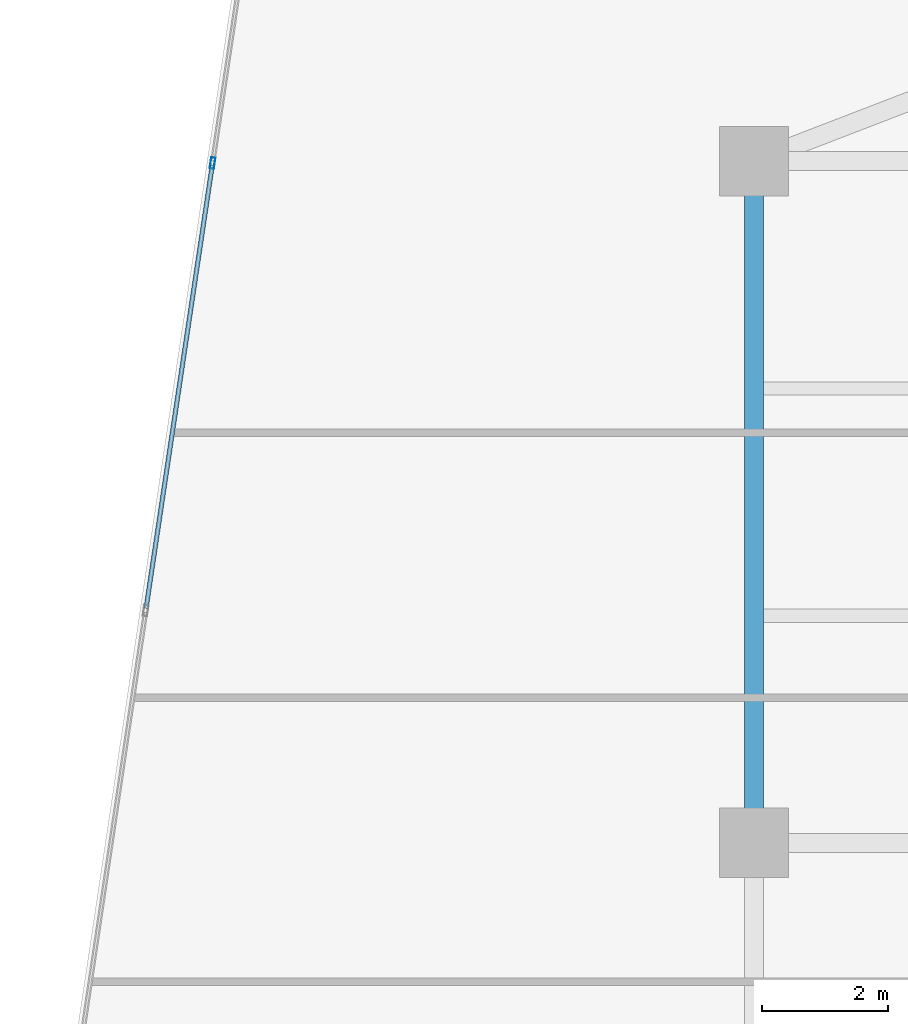
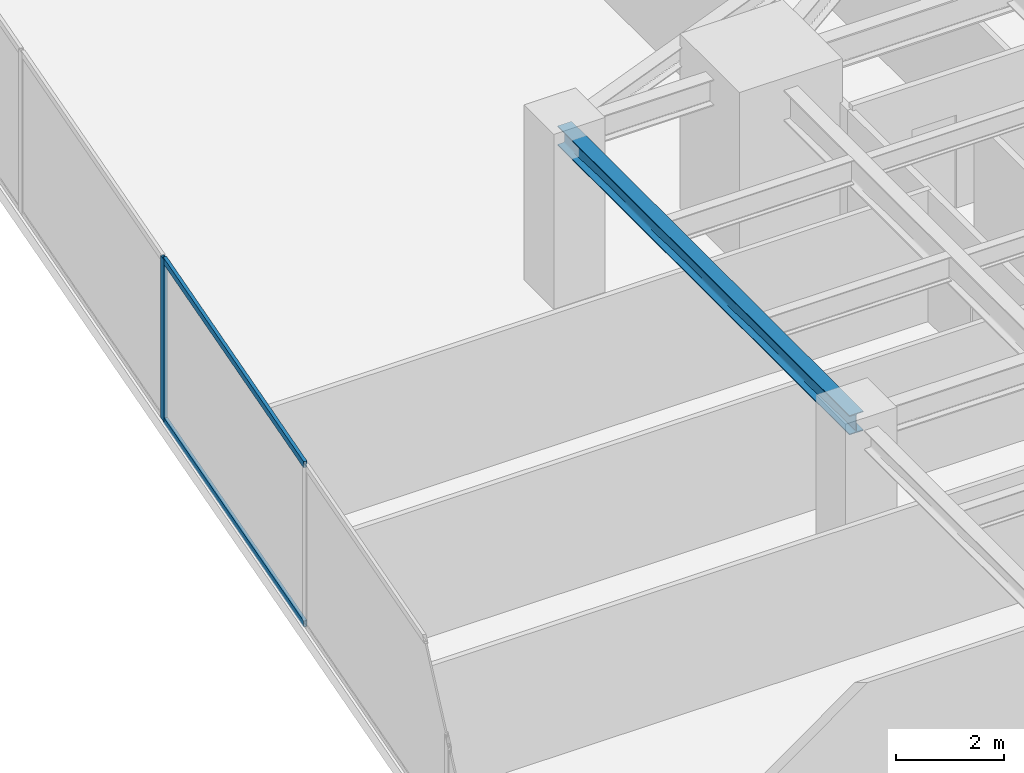
# One storey, part 15 of 29: 3 members, 1 beam, 1 element without a shape of its own.
"""IFC4 building model written with IfcOpenShell, lengths in metres."""

from ifc_helpers import new_model, si_unit, direction, frame, origin, origin_2d, place, context, subcontext, project, spatial, hollow_rectangle, i_section, extrude, source, transform, mapped, material, material_profile, profile_set, type_object, type_shapes, element, aggregate, save


model = new_model("IFC4")

# Units and contexts
model_context = context("Model", 3, precision=1e-05, world=origin(), true_north=direction((0.0, 1.0)))
body_context = subcontext(model_context, "Body", "Model", "MODEL_VIEW")
ifc_project = project(units=[si_unit("LENGTHUNIT", "METRE"), si_unit("AREAUNIT", "SQUARE_METRE"), si_unit("VOLUMEUNIT", "CUBIC_METRE"), si_unit("PLANEANGLEUNIT", "RADIAN"), si_unit("MASSUNIT", "GRAM", prefix="KILO")], contexts=[model_context])

# Site, building, storey
site_placement = place(None, origin())
site = spatial("IfcSite", under=ifc_project, at=site_placement, CompositionType="ELEMENT")
building_placement = place(site_placement, origin())
building = spatial("IfcBuilding", under=site, at=building_placement, Name="Krantzveldt Concourse Tower", CompositionType="ELEMENT")
storey_placement = place(building_placement, frame((0.0, 0.0, 72.39990234375)))
storey = spatial("IfcBuildingStorey", under=building, at=storey_placement, Name="L17", CompositionType="ELEMENT", Elevation=72.39990234375)

# Beam
ifc_material_1 = material(Name="Steel S355JR", Category="steel")
ifc_material_profile_1 = material_profile(ifc_material_1, i_section(OverallWidth=0.300048828125, OverallDepth=0.43994140625, WebThickness=0.011474609375, FlangeThickness=0.02099609375, FilletRadius=0.027099609375, at=origin_2d()), Name="Steel S355JR", Category="steel")
ifc_profile_set_1 = profile_set([ifc_material_profile_1], Name="Steel S355JR - HEA 450")
beam_type = type_object("IfcBeamType", Name="BM-SP-HEA450", PredefinedType="SPANDREL", material=ifc_profile_set_1)
shared_shape_1 = source(origin(), body_context, "Body", "SweptSolid", [
    extrude(i_section(OverallWidth=0.300048828125, OverallDepth=0.43994140625, WebThickness=0.011474609375, FlangeThickness=0.02099609375, FilletRadius=0.027099609375, at=origin_2d()), origin(), (0.0, 0.0, 1.0), 10.800048828125),
])
type_shapes(beam_type, [shared_shape_1])
beam_placement = place(storey_placement, frame((21.0, 26.699951171875, 3.4501953125), z_axis=(0.0, 1.0, 0.0), x_axis=(-1.0, 0.0, 0.0)))
element("IfcBeam", 1, at=beam_placement, inside=storey, type_object=beam_type, Name="L17 Tower Girder SP-R02", PredefinedType="SPANDREL", context=body_context, shape_type="MappedRepresentation", body=[
    mapped(shared_shape_1, transform((0.0, 0.0, 0.0), x_axis=(1.0, 0.0, 0.0), y_axis=(0.0, 1.0, 0.0), z_axis=(0.0, 0.0, 1.0), scale=1.0)),
])

# Curtain wall, members
ifc_material_2 = material(Name="Anodised aluminium 6063-T6", Category="aluminium")
curtain_wall_type = type_object("IfcCurtainWallType", Name="CW2", PredefinedType="USERDEFINED", material=ifc_material_2)
curtain_wall_placement = place(storey_placement, origin())
curtain_wall = element("IfcCurtainWall", 2, at=curtain_wall_placement, inside=storey, type_object=curtain_wall_type, Name="CW-L17-F01", ObjectType="UNITISED CURTAIN WALL", PredefinedType="USERDEFINED")
ifc_material_profile_2 = material_profile(ifc_material_2, hollow_rectangle(XDim=0.070068359375, YDim=0.139892578125, WallThickness=0.0048828125, at=origin_2d()), Name="Anodised aluminium 6063-T6", Category="aluminium")
ifc_profile_set_2 = profile_set([ifc_material_profile_2], Name="Anodised aluminium 6063-T6 - ALU-TRAN 140x70x5")
member_type_1 = type_object("IfcMemberType", Name="CW-TRN-150", PredefinedType="USERDEFINED", material=ifc_profile_set_2)
shared_shape_2 = source(origin(), body_context, "Body", "SweptSolid", [
    extrude(hollow_rectangle(XDim=0.070068359375, YDim=0.139892578125, WallThickness=0.0048828125, at=origin_2d()), origin(), (0.0, 0.0, 1.0), 7.0966796875),
])
type_shapes(member_type_1, [shared_shape_2])
member_1_placement = place(storey_placement, frame((12.417724609375, 37.435302734375, 0.03515625), z_axis=(-0.14779033687, -0.989018713841, 0.0), x_axis=(0.989018713841, -0.14779033687, 0.0)))
member_1 = element("IfcMember", 3, at=member_1_placement, type_object=member_type_1, Name="CW-Z12 transom 3.1", ObjectType="TRANSOM", PredefinedType="USERDEFINED", context=body_context, shape_type="MappedRepresentation", body=[
    mapped(shared_shape_2, transform((0.0, 0.0, 0.0), x_axis=(1.0, 0.0, 0.0), y_axis=(0.0, 1.0, 0.0), z_axis=(0.0, 0.0, 1.0), scale=1.0)),
])
member_2_placement = place(storey_placement, frame((12.417724609375, 37.435302734375, 3.635009765625), z_axis=(-0.14779033687, -0.989018713841, 0.0), x_axis=(0.989018713841, -0.14779033687, 0.0)))
member_2 = element("IfcMember", 4, at=member_2_placement, type_object=member_type_1, Name="CW-Z12 transom 3.2", ObjectType="TRANSOM", PredefinedType="USERDEFINED", context=body_context, shape_type="MappedRepresentation", body=[
    mapped(shared_shape_2, transform((0.0, 0.0, 0.0), x_axis=(1.0, 0.0, 0.0), y_axis=(0.0, 1.0, 0.0), z_axis=(0.0, 0.0, 1.0), scale=1.0)),
])
ifc_material_profile_3 = material_profile(ifc_material_2, hollow_rectangle(XDim=0.070068359375, YDim=0.179931640625, WallThickness=0.0048828125, at=origin_2d()), Name="Anodised aluminium 6063-T6", Category="aluminium")
ifc_profile_set_3 = profile_set([ifc_material_profile_3], Name="Anodised aluminium 6063-T6 - ALU-MULL 180x70x5")
member_type_2 = type_object("IfcMemberType", Name="CW-MUL-180", PredefinedType="MULLION", material=ifc_profile_set_3)
shared_shape_3 = source(origin(), body_context, "Body", "SweptSolid", [
    extrude(hollow_rectangle(XDim=0.070068359375, YDim=0.179931640625, WallThickness=0.0048828125, at=origin_2d()), origin(), (0.0, 0.0, 1.0), 3.670166015625),
])
type_shapes(member_type_2, [shared_shape_3])
member_3_placement = place(storey_placement, frame((12.4228515625, 37.469970703125, 0.0), z_axis=(0.0, 0.0, 1.0), x_axis=(0.989015849271, -0.147809505412, 0.0)))
member_3 = element("IfcMember", 5, at=member_3_placement, type_object=member_type_2, Name="CW-Z12 mullion 3", PredefinedType="MULLION", context=body_context, shape_type="MappedRepresentation", body=[
    mapped(shared_shape_3, transform((0.0, 0.0, 0.0), x_axis=(1.0, 0.0, 0.0), y_axis=(0.0, 1.0, 0.0), z_axis=(0.0, 0.0, 1.0), scale=1.0)),
])
aggregate(curtain_wall, [member_3, member_1, member_2])

save(model, "model.ifc")
